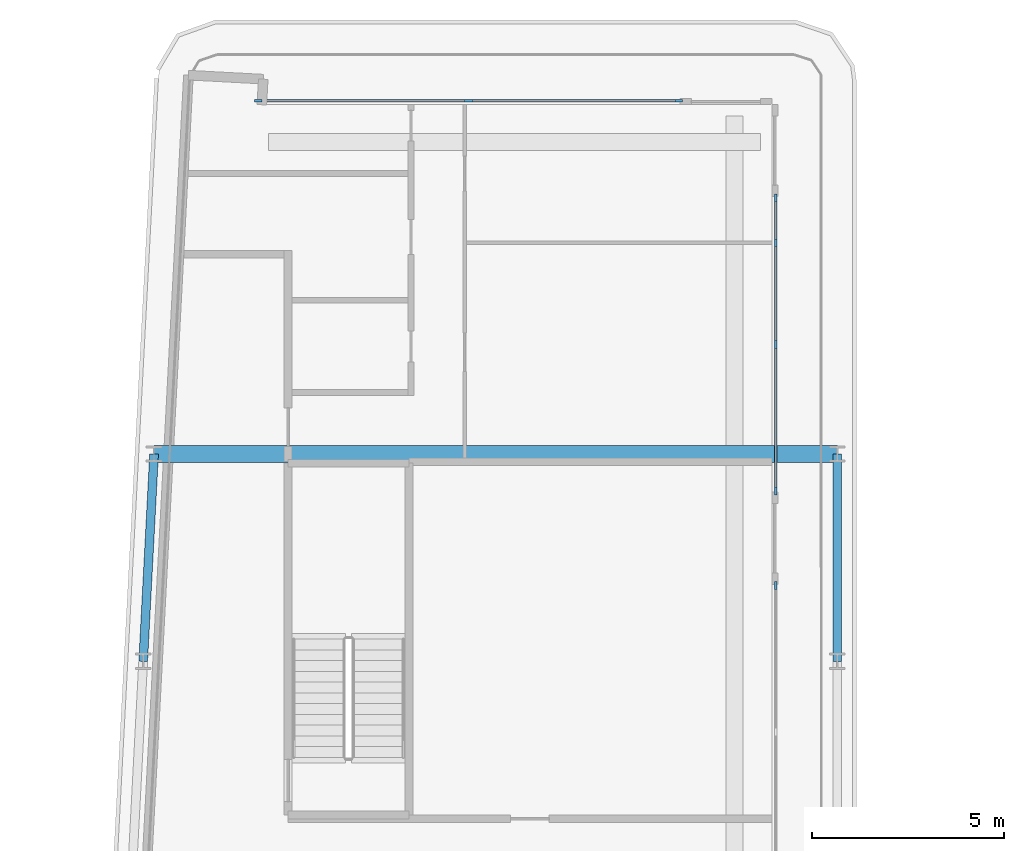
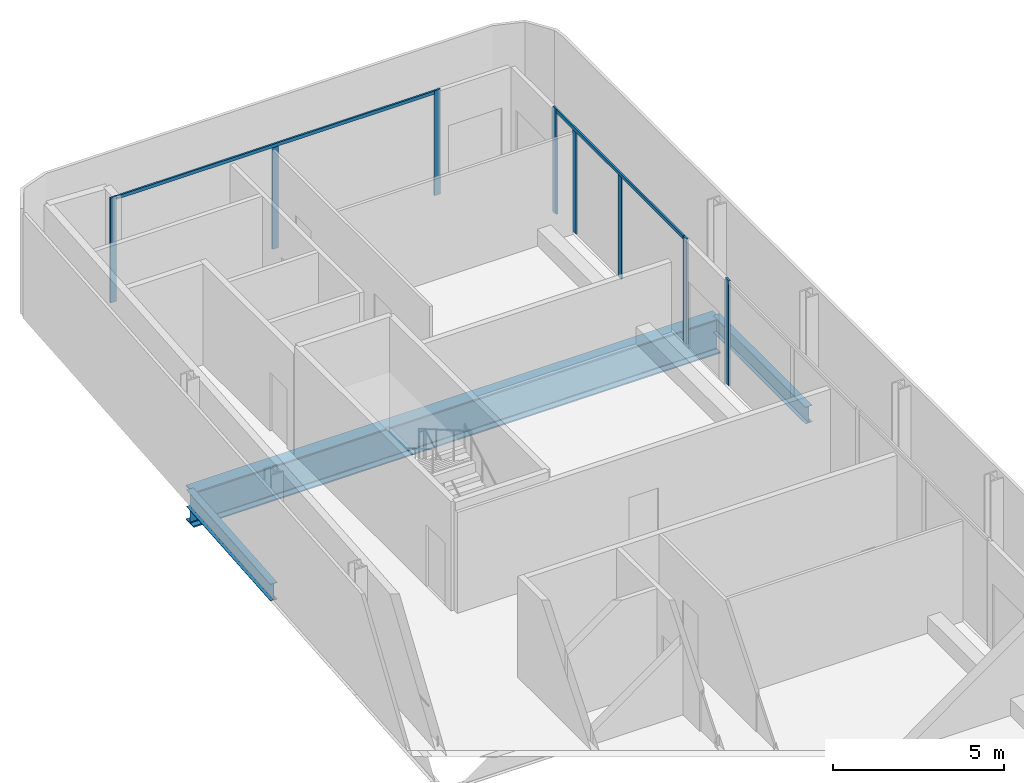
# One storey, part 11 of 30: 10 members, 3 beams, 3 elements without a shape of their own.
"""IFC4 building model written with IfcOpenShell, lengths in metres."""

from ifc_helpers import new_model, si_unit, direction, frame, origin, origin_2d, place, context, subcontext, project, spatial, rectangle, i_section, extrude, material, layer, layer_set, material_profile, profile_set, type_object, element, aggregate, save


model = new_model("IFC4")

# Units and contexts
model_context = context("Model", 3, precision=1e-05, world=origin(), true_north=direction((0.0, 1.0)))
body_context = subcontext(model_context, "Body", "Model", "MODEL_VIEW")
ifc_project = project(units=[si_unit("LENGTHUNIT", "METRE"), si_unit("AREAUNIT", "SQUARE_METRE"), si_unit("VOLUMEUNIT", "CUBIC_METRE"), si_unit("PLANEANGLEUNIT", "RADIAN"), si_unit("MASSUNIT", "GRAM", prefix="KILO")], contexts=[model_context])

# Site, building, storey
site_placement = place(None, origin())
site = spatial("IfcSite", under=ifc_project, at=site_placement, CompositionType="ELEMENT")
building_placement = place(site_placement, origin())
building = spatial("IfcBuilding", under=site, at=building_placement, Name="Kheshtan School and Residences Tower", CompositionType="ELEMENT")
storey_placement = place(building_placement, frame((0.0, 0.0, 195.5)))
storey = spatial("IfcBuildingStorey", under=building, at=storey_placement, Name="L46", CompositionType="ELEMENT", Elevation=195.5)

# Beams
ifc_material_1 = material(Name="Steel ASTM A992 Grade 50", Category="steel")
ifc_material_profile_1 = material_profile(ifc_material_1, i_section(OverallWidth=0.22802734375, OverallDepth=0.60302734375, WebThickness=0.010498046875, FlangeThickness=0.014892578125, FilletRadius=0.013427734375, at=origin_2d()), Name="W610x101")
ifc_profile_set_1 = profile_set([ifc_material_profile_1], Name="Steel ASTM A992 Grade 50")
beam_type_1 = type_object("IfcBeamType", Name="Beam SP2 W610x101 ASTM A992 Grade 50", PredefinedType="BEAM", material=ifc_profile_set_1)
beam_1_placement = place(storey_placement, frame((47.60009765625, 88.800048828125, -0.451416015625), z_axis=(0.0, -1.0, 0.0), x_axis=(1.0, 0.0, 0.0)))
element("IfcBeam", 1, at=beam_1_placement, inside=storey, type_object=beam_type_1, Name="Spandrel beam C099-C091", PredefinedType="BEAM", context=body_context, shape_type="SweptSolid", body=[
    extrude(i_section(OverallWidth=0.22802734375, OverallDepth=0.60302734375, WebThickness=0.010498046875, FlangeThickness=0.014892578125, FilletRadius=0.013427734375, at=origin_2d()), origin(), (0.0, 0.0, 1.0), 5.400146484375),
])
beam_2_placement = place(storey_placement, frame((29.527099609375, 83.39990234375, -0.451416015625), z_axis=(0.05250670125, 0.998620571751, 0.0), x_axis=(-0.998620571751, 0.05250670125, 0.0)))
element("IfcBeam", 2, at=beam_2_placement, inside=storey, type_object=beam_type_1, Name="Spandrel beam C090-C098", PredefinedType="BEAM", context=body_context, shape_type="SweptSolid", body=[
    extrude(i_section(OverallWidth=0.22802734375, OverallDepth=0.60302734375, WebThickness=0.010498046875, FlangeThickness=0.014892578125, FilletRadius=0.013427734375, at=origin_2d()), origin(), (0.0, 0.0, 1.0), 5.40771484375),
])

# Curtain wall, members
ifc_material_2 = material(Name="Clear low-e glass in thermally broken aluminium frame", Category="aluminium")
ifc_layer = layer(ifc_material_2, 0.199951171875)
ifc_layer_set = layer_set([ifc_layer], Name="Curtain wall CW-L")
curtain_wall_type = type_object("IfcCurtainWallType", Name="Curtain wall CW-L", PredefinedType="NOTDEFINED", material=ifc_layer_set)
curtain_wall_1_placement = place(storey_placement, origin())
curtain_wall_1 = element("IfcCurtainWall", 3, at=curtain_wall_1_placement, inside=storey, type_object=curtain_wall_type, Name="Curtain wall CWL7", PredefinedType="NOTDEFINED")
ifc_material_3 = material(Name="Thermally broken aluminium, dark bronze anodised", Category="aluminium")
ifc_material_profile_2 = material_profile(ifc_material_3, rectangle(XDim=0.06005859375, YDim=0.199951171875, at=origin_2d()), Name="CW-L mullion 60x200")
ifc_profile_set_2 = profile_set([ifc_material_profile_2], Name="Thermally broken aluminium, dark bronze anodised")
member_type_1 = type_object("IfcMemberType", Name="CW-L mullion 60x200", PredefinedType="MULLION", material=ifc_profile_set_2)
member_1_placement = place(storey_placement, frame((32.52197265625, 98.0, 0.0), z_axis=(0.0, 0.0, 1.0), x_axis=(0.0, 1.0, 0.0)))
member_1 = element("IfcMember", 4, at=member_1_placement, type_object=member_type_1, Name="CWL7 mullion 1", PredefinedType="MULLION", context=body_context, shape_type="SweptSolid", body=[
    extrude(rectangle(XDim=0.06005859375, YDim=0.199951171875, at=origin_2d()), origin(), (0.0, 0.0, 1.0), 3.75),
])
member_2_placement = place(storey_placement, frame((37.99609375, 98.0, 0.0), z_axis=(0.0, 0.0, 1.0), x_axis=(0.0, 1.0, 0.0)))
member_2 = element("IfcMember", 5, at=member_2_placement, type_object=member_type_1, Name="CWL7 mullion 2", PredefinedType="MULLION", context=body_context, shape_type="SweptSolid", body=[
    extrude(rectangle(XDim=0.06005859375, YDim=0.199951171875, at=origin_2d()), origin(), (0.0, 0.0, 1.0), 3.6298828125),
])
member_3_placement = place(storey_placement, frame((43.469970703125, 98.0, 0.0), z_axis=(0.0, 0.0, 1.0), x_axis=(0.0, 1.0, 0.0)))
member_3 = element("IfcMember", 6, at=member_3_placement, type_object=member_type_1, Name="CWL7 mullion 3", PredefinedType="MULLION", context=body_context, shape_type="SweptSolid", body=[
    extrude(rectangle(XDim=0.06005859375, YDim=0.199951171875, at=origin_2d()), origin(), (0.0, 0.0, 1.0), 3.75),
])

curtain_wall_2_placement = place(storey_placement, origin())
curtain_wall_2 = element("IfcCurtainWall", 7, at=curtain_wall_2_placement, inside=storey, type_object=curtain_wall_type, Name="Curtain wall CWL8c", PredefinedType="NOTDEFINED")
member_4_placement = place(storey_placement, frame((46.0, 95.469970703125, 0.0), z_axis=(0.0, 0.0, 1.0), x_axis=(1.0, 0.0, 0.0)))
member_4 = element("IfcMember", 8, at=member_4_placement, type_object=member_type_1, Name="CWL8c mullion 1", PredefinedType="MULLION", context=body_context, shape_type="SweptSolid", body=[
    extrude(rectangle(XDim=0.06005859375, YDim=0.199951171875, at=origin_2d()), origin(), (0.0, 0.0, 1.0), 3.75),
])
member_5_placement = place(storey_placement, frame((46.0, 94.300048828125, 0.0), z_axis=(0.0, 0.0, 1.0), x_axis=(1.0, 0.0, 0.0)))
member_5 = element("IfcMember", 9, at=member_5_placement, type_object=member_type_1, Name="CWL8c mullion 2", PredefinedType="MULLION", context=body_context, shape_type="SweptSolid", body=[
    extrude(rectangle(XDim=0.06005859375, YDim=0.199951171875, at=origin_2d()), origin(), (0.0, 0.0, 1.0), 3.6298828125),
])
member_6_placement = place(storey_placement, frame((46.0, 91.653076171875, 0.0), z_axis=(0.0, 0.0, 1.0), x_axis=(1.0, 0.0, 0.0)))
member_6 = element("IfcMember", 10, at=member_6_placement, type_object=member_type_1, Name="CWL8c mullion 3", PredefinedType="MULLION", context=body_context, shape_type="SweptSolid", body=[
    extrude(rectangle(XDim=0.06005859375, YDim=0.199951171875, at=origin_2d()), origin(), (0.0, 0.0, 1.0), 3.6298828125),
])
member_7_placement = place(storey_placement, frame((46.0, 87.8359375, 0.0), z_axis=(0.0, 0.0, 1.0), x_axis=(1.0, 0.0, 0.0)))
member_7 = element("IfcMember", 11, at=member_7_placement, type_object=member_type_1, Name="CWL8c mullion 4", PredefinedType="MULLION", context=body_context, shape_type="SweptSolid", body=[
    extrude(rectangle(XDim=0.06005859375, YDim=0.199951171875, at=origin_2d()), origin(), (0.0, 0.0, 1.0), 3.75),
])

# Curtain wall, member
curtain_wall_3_placement = place(storey_placement, origin())
curtain_wall_3 = element("IfcCurtainWall", 12, at=curtain_wall_3_placement, inside=storey, type_object=curtain_wall_type, Name="Curtain wall CWL8", PredefinedType="NOTDEFINED")
member_8_placement = place(storey_placement, frame((46.0, 85.3759765625, 0.0), z_axis=(0.0, 0.0, 1.0), x_axis=(1.0, 0.0, 0.0)))
member_8 = element("IfcMember", 13, at=member_8_placement, type_object=member_type_1, Name="CWL8 mullion 1", PredefinedType="MULLION", context=body_context, shape_type="SweptSolid", body=[
    extrude(rectangle(XDim=0.06005859375, YDim=0.199951171875, at=origin_2d()), origin(), (0.0, 0.0, 1.0), 3.75),
])
aggregate(curtain_wall_3, [member_8])

# Member
ifc_material_profile_3 = material_profile(ifc_material_3, rectangle(XDim=0.06005859375, YDim=0.1201171875, at=origin_2d()), Name="CW-L transom 60x120")
ifc_profile_set_3 = profile_set([ifc_material_profile_3], Name="Thermally broken aluminium, dark bronze anodised")
member_type_2 = type_object("IfcMemberType", Name="CW-L transom 60x120", PredefinedType="USERDEFINED", material=ifc_profile_set_3)
member_9_placement = place(storey_placement, frame((32.552001953125, 98.0, 3.68994140625), z_axis=(1.0, 0.0, 0.0), x_axis=(0.0, 1.0, 0.0)))
member_9 = element("IfcMember", 14, at=member_9_placement, type_object=member_type_2, Name="CWL7 transom 1", ObjectType="TRANSOM", PredefinedType="USERDEFINED", context=body_context, shape_type="SweptSolid", body=[
    extrude(rectangle(XDim=0.06005859375, YDim=0.1201171875, at=origin_2d()), origin(), (0.0, 0.0, 1.0), 10.887939453125),
])

aggregate(curtain_wall_1, [member_1, member_2, member_3, member_9])

member_10_placement = place(storey_placement, frame((46.0, 95.43994140625, 3.68994140625), z_axis=(0.0, -1.0, 0.0), x_axis=(1.0, 0.0, 0.0)))
member_10 = element("IfcMember", 15, at=member_10_placement, type_object=member_type_2, Name="CWL8c transom 1", ObjectType="TRANSOM", PredefinedType="USERDEFINED", context=body_context, shape_type="SweptSolid", body=[
    extrude(rectangle(XDim=0.06005859375, YDim=0.1201171875, at=origin_2d()), origin(), (0.0, 0.0, 1.0), 7.573974609375),
])

aggregate(curtain_wall_2, [member_4, member_5, member_6, member_7, member_10])

# Beam
ifc_material_profile_4 = material_profile(ifc_material_1, i_section(OverallWidth=0.449951171875, OverallDepth=1.25, WebThickness=0.02490234375, FlangeThickness=0.044921875, FilletRadius=0.03759765625, at=origin_2d()), Name="WWF1250x546")
ifc_profile_set_4 = profile_set([ifc_material_profile_4], Name="Steel ASTM A992 Grade 50")
beam_type_2 = type_object("IfcBeamType", Name="Transfer girder TG4 WWF1250x546 ASTM A992 Grade 50", PredefinedType="BEAM", material=ifc_profile_set_4)
beam_3_placement = place(storey_placement, frame((29.81103515625, 88.800048828125, -0.77490234375), z_axis=(1.0, 0.0, 0.0), x_axis=(0.0, 1.0, 0.0)))
element("IfcBeam", 16, at=beam_3_placement, inside=storey, type_object=beam_type_2, Name="Transfer girder C098-C099", PredefinedType="BEAM", context=body_context, shape_type="SweptSolid", body=[
    extrude(i_section(OverallWidth=0.449951171875, OverallDepth=1.25, WebThickness=0.02490234375, FlangeThickness=0.044921875, FilletRadius=0.03759765625, at=origin_2d()), origin(), (0.0, 0.0, 1.0), 17.7890625),
])

save(model, "model.ifc")
